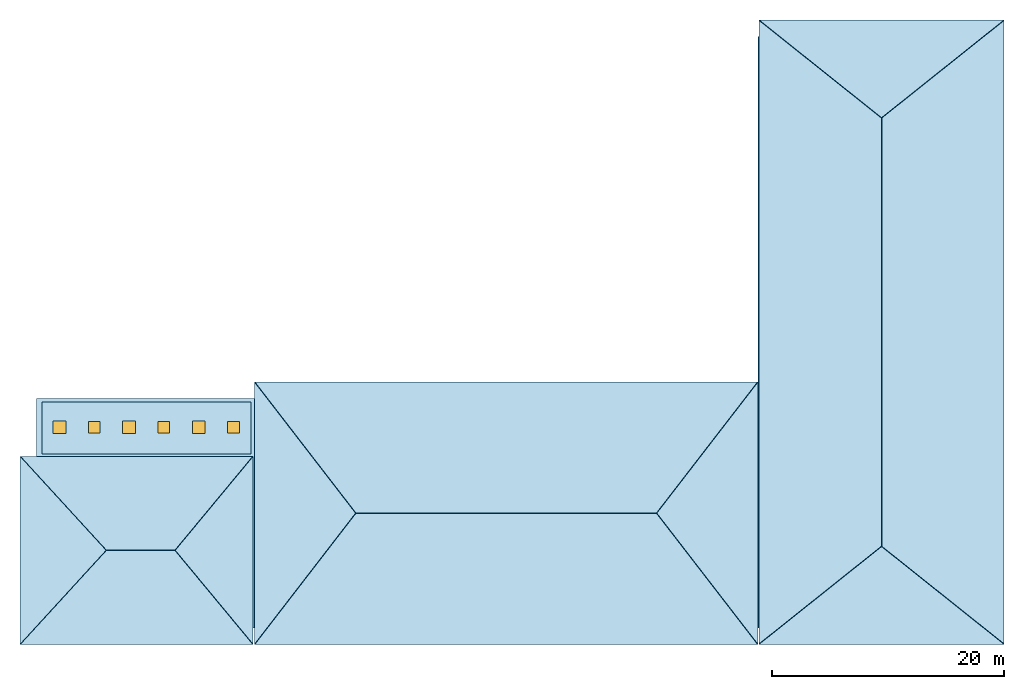
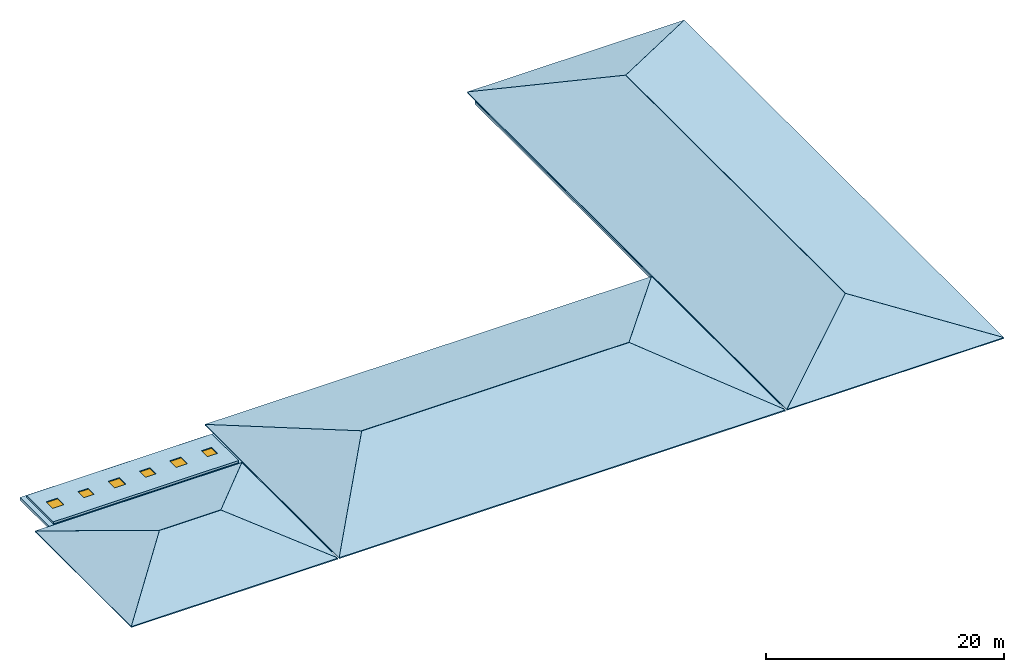
"""IFC4 building model written with IfcOpenShell, lengths in metres."""

from ifc_helpers import new_model, si_unit, direction, frame, origin, origin_2d, place, context, subcontext, project, spatial, polyline, rectangle, outline, extrude, material, layer, layer_set, type_object, element, fill, save


model = new_model("IFC4")

# Units and contexts
model_context = context("Model", 3, precision=1e-05, world=origin(), true_north=direction((0.0, 1.0)))
body_context = subcontext(model_context, "Body", "Model", "MODEL_VIEW")
ifc_project = project(units=[si_unit("LENGTHUNIT", "METRE"), si_unit("AREAUNIT", "SQUARE_METRE"), si_unit("VOLUMEUNIT", "CUBIC_METRE"), si_unit("PLANEANGLEUNIT", "RADIAN"), si_unit("MASSUNIT", "GRAM", prefix="KILO")], contexts=[model_context])

# Site, building, storey
site_placement = place(None, origin())
site = spatial("IfcSite", under=ifc_project, at=site_placement, CompositionType="ELEMENT")
building_placement = place(site_placement, origin())
building = spatial("IfcBuilding", under=site, at=building_placement, Name="Sollismere Congress Hotel", CompositionType="ELEMENT")
storey_1_placement = place(building_placement, frame((0.0, 0.0, 48.199951171875)))
storey_1 = spatial("IfcBuildingStorey", under=building, at=storey_1_placement, Name="RF", CompositionType="ELEMENT", Elevation=48.199951171875)

# Slab, openings
ifc_material_1 = material(Name="Concrete C40/50", Category="concrete")
ifc_layer_1 = layer(ifc_material_1, 0.219970703125, Name="Concrete C40/50")
ifc_layer_set_1 = layer_set([ifc_layer_1], Name="Concrete C40/50")
slab_type_1 = type_object("IfcSlabType", Name="SL-ROOF220", PredefinedType="ROOF", material=ifc_layer_set_1)
slab_1_placement = place(storey_1_placement, origin())
slab_1 = element("IfcSlab", 1, at=slab_1_placement, inside=storey_1, type_object=slab_type_1, Name="Slab SL-RF-CRB", PredefinedType="ROOF", context=body_context, shape_type="SweptSolid", body=[
    extrude(outline(polyline([(103.0, 14.5), (103.0, 19.0), (85.0, 19.0), (85.0, 14.5), (103.0, 14.5)]), holes=[polyline([(85.949951171875, 17.35009765625), (87.050048828125, 17.35009765625), (87.050048828125, 16.25), (85.949951171875, 16.25), (85.949951171875, 17.35009765625)]), polyline([(90.0, 17.300048828125), (90.0, 16.300048828125), (89.0, 16.300048828125), (89.0, 17.300048828125), (90.0, 17.300048828125)]), polyline([(93.050048828125, 17.35009765625), (93.050048828125, 16.25), (91.949951171875, 16.25), (91.949951171875, 17.35009765625), (93.050048828125, 17.35009765625)]), polyline([(95.0, 17.300048828125), (96.0, 17.300048828125), (96.0, 16.300048828125), (95.0, 16.300048828125), (95.0, 17.300048828125)]), polyline([(99.050048828125, 17.35009765625), (99.050048828125, 16.25), (97.949951171875, 16.25), (97.949951171875, 17.35009765625), (99.050048828125, 17.35009765625)]), polyline([(102.0, 17.300048828125), (102.0, 16.300048828125), (101.0, 16.300048828125), (101.0, 17.300048828125), (102.0, 17.300048828125)])]), origin(), (0.0, 0.0, 1.0), 0.219970703125),
])
opening_1_placement = place(slab_1_placement, frame((86.5, 16.800048828125, -0.010009765625)))
opening_1 = element("IfcOpeningElement", 2, at=opening_1_placement, cuts=slab_1, Name="Opening HT-RF01", PredefinedType="OPENING", context=body_context, shape_type="SweptSolid", body=[
    extrude(rectangle(XDim=1.10009765625, YDim=1.10009765625, at=origin_2d()), origin(), (0.0, 0.0, 1.0), 0.239990234375),
])
opening_2_placement = place(slab_1_placement, frame((89.5, 16.800048828125, -0.010009765625)))
opening_2 = element("IfcOpeningElement", 3, at=opening_2_placement, cuts=slab_1, Name="Opening HT-RF02", PredefinedType="OPENING", context=body_context, shape_type="SweptSolid", body=[
    extrude(rectangle(XDim=1.0, YDim=1.0, at=origin_2d()), origin(), (0.0, 0.0, 1.0), 0.239990234375),
])
opening_3_placement = place(slab_1_placement, frame((92.5, 16.800048828125, -0.010009765625)))
opening_3 = element("IfcOpeningElement", 4, at=opening_3_placement, cuts=slab_1, Name="Opening HT-RF03", PredefinedType="OPENING", context=body_context, shape_type="SweptSolid", body=[
    extrude(rectangle(XDim=1.10009765625, YDim=1.10009765625, at=origin_2d()), origin(), (0.0, 0.0, 1.0), 0.239990234375),
])
opening_4_placement = place(slab_1_placement, frame((95.5, 16.800048828125, -0.010009765625)))
opening_4 = element("IfcOpeningElement", 5, at=opening_4_placement, cuts=slab_1, Name="Opening HT-RF04", PredefinedType="OPENING", context=body_context, shape_type="SweptSolid", body=[
    extrude(rectangle(XDim=1.0, YDim=1.0, at=origin_2d()), origin(), (0.0, 0.0, 1.0), 0.239990234375),
])
opening_5_placement = place(slab_1_placement, frame((98.5, 16.800048828125, -0.010009765625)))
opening_5 = element("IfcOpeningElement", 6, at=opening_5_placement, cuts=slab_1, Name="Opening HT-RF05", PredefinedType="OPENING", context=body_context, shape_type="SweptSolid", body=[
    extrude(rectangle(XDim=1.10009765625, YDim=1.10009765625, at=origin_2d()), origin(), (0.0, 0.0, 1.0), 0.239990234375),
])
opening_6_placement = place(slab_1_placement, frame((101.5, 16.800048828125, -0.010009765625)))
opening_6 = element("IfcOpeningElement", 7, at=opening_6_placement, cuts=slab_1, Name="Opening HT-RF06", PredefinedType="OPENING", context=body_context, shape_type="SweptSolid", body=[
    extrude(rectangle(XDim=1.0, YDim=1.0, at=origin_2d()), origin(), (0.0, 0.0, 1.0), 0.239990234375),
])

# Storey
storey_2_placement = place(building_placement, frame((0.0, 0.0, 44.60009765625)))
storey_2 = spatial("IfcBuildingStorey", under=building, at=storey_2_placement, Name="L11", CompositionType="ELEMENT", Elevation=44.60009765625)

# Door
ifc_material_2 = material(Name="Thermally Broken Bronze-Anodized Aluminum & Laminated Glass", Category="aluminium")
door_type_1 = type_object("IfcDoorType", Name="HT-RF100", OperationType="SINGLE_SWING_LEFT", PredefinedType="TRAPDOOR", material=ifc_material_2)
door_1_placement = place(opening_2_placement, frame((0.0, 0.0, 0.094970703125)))
door_1 = element("IfcDoor", 8, at=door_1_placement, inside=storey_2, type_object=door_type_1, Name="HTC-RF-02", OperationType="SINGLE_SWING_LEFT", OverallHeight=1.0, OverallWidth=1.0, PredefinedType="TRAPDOOR", context=body_context, shape_type="SweptSolid", body=[
    extrude(rectangle(XDim=1.0, YDim=1.0, at=origin_2d()), origin(), (0.0, 0.0, 1.0), 0.050048828125),
])

fill(opening_2, door_1)

door_2_placement = place(opening_4_placement, frame((0.0, 0.0, 0.094970703125)))
door_2 = element("IfcDoor", 9, at=door_2_placement, inside=storey_2, type_object=door_type_1, Name="HTC-RF-04", OperationType="SINGLE_SWING_LEFT", OverallHeight=1.0, OverallWidth=1.0, PredefinedType="TRAPDOOR", context=body_context, shape_type="SweptSolid", body=[
    extrude(rectangle(XDim=1.0, YDim=1.0, at=origin_2d()), origin(), (0.0, 0.0, 1.0), 0.050048828125),
])

fill(opening_4, door_2)

door_3_placement = place(opening_6_placement, frame((0.0, 0.0, 0.094970703125)))
door_3 = element("IfcDoor", 10, at=door_3_placement, inside=storey_2, type_object=door_type_1, Name="HTC-RF-06", OperationType="SINGLE_SWING_LEFT", OverallHeight=1.0, OverallWidth=1.0, PredefinedType="TRAPDOOR", context=body_context, shape_type="SweptSolid", body=[
    extrude(rectangle(XDim=1.0, YDim=1.0, at=origin_2d()), origin(), (0.0, 0.0, 1.0), 0.050048828125),
])

fill(opening_6, door_3)

door_type_2 = type_object("IfcDoorType", Name="HT-RF110", OperationType="SINGLE_SWING_LEFT", PredefinedType="TRAPDOOR", material=ifc_material_2)
door_4_placement = place(opening_1_placement, frame((0.0, 0.0, 0.094970703125)))
door_4 = element("IfcDoor", 11, at=door_4_placement, inside=storey_2, type_object=door_type_2, Name="HTC-RF-01", OperationType="SINGLE_SWING_LEFT", OverallHeight=1.10009765625, OverallWidth=1.10009765625, PredefinedType="TRAPDOOR", context=body_context, shape_type="SweptSolid", body=[
    extrude(rectangle(XDim=1.10009765625, YDim=1.10009765625, at=origin_2d()), origin(), (0.0, 0.0, 1.0), 0.050048828125),
])

fill(opening_1, door_4)

door_5_placement = place(opening_3_placement, frame((0.0, 0.0, 0.094970703125)))
door_5 = element("IfcDoor", 12, at=door_5_placement, inside=storey_2, type_object=door_type_2, Name="HTC-RF-03", OperationType="SINGLE_SWING_LEFT", OverallHeight=1.10009765625, OverallWidth=1.10009765625, PredefinedType="TRAPDOOR", context=body_context, shape_type="SweptSolid", body=[
    extrude(rectangle(XDim=1.10009765625, YDim=1.10009765625, at=origin_2d()), origin(), (0.0, 0.0, 1.0), 0.050048828125),
])

fill(opening_3, door_5)

door_6_placement = place(opening_5_placement, frame((0.0, 0.0, 0.094970703125)))
door_6 = element("IfcDoor", 13, at=door_6_placement, inside=storey_2, type_object=door_type_2, Name="HTC-RF-05", OperationType="SINGLE_SWING_LEFT", OverallHeight=1.10009765625, OverallWidth=1.10009765625, PredefinedType="TRAPDOOR", context=body_context, shape_type="SweptSolid", body=[
    extrude(rectangle(XDim=1.10009765625, YDim=1.10009765625, at=origin_2d()), origin(), (0.0, 0.0, 1.0), 0.050048828125),
])

fill(opening_5, door_6)

# Slabs
ifc_layer_2 = layer(ifc_material_1, 0.27490234375, Name="Concrete C40/50")
ifc_layer_set_2 = layer_set([ifc_layer_2], Name="Concrete C40/50")
slab_type_2 = type_object("IfcSlabType", Name="SL-ROOF275", PredefinedType="ROOF", material=ifc_layer_set_2)
slab_2_placement = place(storey_1_placement, frame((0.0, 0.0, -0.27490234375)))
element("IfcSlab", 14, at=slab_2_placement, inside=storey_1, type_object=slab_type_2, Name="Slab SL-RF-MAIN", PredefinedType="ROOF", context=body_context, shape_type="SweptSolid", body=[
    extrude(outline(polyline([(166.47998046875, -0.47998046875), (166.47998046875, 19.280029296875), (166.47998046875, 50.47998046875), (146.719970703125, 50.47998046875), (146.719970703125, 19.280029296875), (84.52001953125, 19.280029296875), (84.52001953125, -0.47998046875), (166.47998046875, -0.47998046875)]), holes=[polyline([(85.949951171875, 17.35009765625), (87.050048828125, 17.35009765625), (87.050048828125, 16.25), (85.949951171875, 16.25), (85.949951171875, 17.35009765625)]), polyline([(90.0, 17.300048828125), (90.0, 16.300048828125), (89.0, 16.300048828125), (89.0, 17.300048828125), (90.0, 17.300048828125)]), polyline([(93.050048828125, 17.35009765625), (93.050048828125, 16.25), (91.949951171875, 16.25), (91.949951171875, 17.35009765625), (93.050048828125, 17.35009765625)]), polyline([(95.0, 17.300048828125), (96.0, 17.300048828125), (96.0, 16.300048828125), (95.0, 16.300048828125), (95.0, 17.300048828125)]), polyline([(99.050048828125, 17.35009765625), (99.050048828125, 16.25), (97.949951171875, 16.25), (97.949951171875, 17.35009765625), (99.050048828125, 17.35009765625)]), polyline([(102.0, 17.300048828125), (102.0, 16.300048828125), (101.0, 16.300048828125), (101.0, 17.300048828125), (102.0, 17.300048828125)])]), origin(), (0.0, 0.0, 1.0), 0.27490234375),
])
ifc_material_3 = material(Name="Standing-Seam Zinc on Precast Concrete C40/50", Category="concrete")
ifc_layer_3 = layer(ifc_material_3, 0.14990234375, Name="Standing-Seam Zinc on Precast Concrete C40/50")
ifc_layer_set_3 = layer_set([ifc_layer_3], Name="Standing-Seam Zinc on Precast Concrete C40/50")
slab_type_3 = type_object("IfcSlabType", Name="SL-SACAK150", PredefinedType="ROOF", material=ifc_layer_set_3)
slab_3_placement = place(storey_1_placement, frame((83.14599609375, -1.89794921875, -0.07275390625), z_axis=(-0.306165744534, 0.0, 0.951978222899), x_axis=(0.660005854112, 0.72064974404, 0.212264502339)))
element("IfcSlab", 15, at=slab_3_placement, inside=storey_1, type_object=slab_type_3, Name="Hipped roof facet SL-V5W-W", PredefinedType="ROOF", context=body_context, shape_type="SweptSolid", body=[
    extrude(outline(polyline([(0.0, 0.0), (11.2119140625, 0.0), (11.23779296875, 0.025146484375), (11.671630859375, 11.228759765625), (0.0, 0.0)])), origin(), (0.0, 0.0, 1.0), 0.14990234375),
])
slab_4_placement = place(storey_1_placement, frame((96.44970703125, 6.181884765625, 2.30859375), z_axis=(0.334719719377, 0.0, 0.942317732753), x_axis=(0.622512626614, -0.750721691425, -0.221122074271)))
element("IfcSlab", 16, at=slab_4_placement, inside=storey_1, type_object=slab_type_3, Name="Hipped roof facet SL-V5W-E", PredefinedType="ROOF", context=body_context, shape_type="SweptSolid", body=[
    extrude(outline(polyline([(0.0, 0.0), (10.7626953125, 0.0), (-1.39599609375, 10.699462890625), (-0.027099609375, 0.02392578125), (0.0, 0.0)])), origin(), (0.0, 0.0, 1.0), 0.14990234375),
])
slab_5_placement = place(storey_1_placement, frame((83.10205078125, -1.857666015625, -0.07373046875), z_axis=(0.0, -0.282544489974, 0.959254195292), x_axis=(1.0, 0.0, 0.0)))
element("IfcSlab", 17, at=slab_5_placement, inside=storey_1, type_object=slab_type_3, Name="Hipped roof facet SL-V5W-S", PredefinedType="ROOF", context=body_context, shape_type="SweptSolid", body=[
    extrude(outline(polyline([(0.0, 0.0), (20.095947265625, 0.0), (13.39599609375, 8.423095703125), (7.39990234375, 8.423095703125), (0.0, 0.0)])), origin(), (0.0, 0.0, 1.0), 0.14990234375),
])
slab_6_placement = place(storey_1_placement, frame((90.501953125, 6.177734375, 2.30615234375), z_axis=(0.0, 0.282536634357, 0.959256509098), x_axis=(1.0, 0.0, 0.0)))
element("IfcSlab", 18, at=slab_6_placement, inside=storey_1, type_object=slab_type_3, Name="Hipped roof facet SL-V5W-N", PredefinedType="ROOF", context=body_context, shape_type="SweptSolid", body=[
    extrude(outline(polyline([(0.0, 0.0), (5.99609375, 0.0), (12.696044921875, 8.42333984375), (-7.39990234375, 8.42333984375), (0.0, 0.0)])), origin(), (0.0, 0.0, 1.0), 0.14990234375),
])
slab_7_placement = place(storey_1_placement, frame((103.350830078125, -1.89794921875, -0.071044921875), z_axis=(-0.338518427216, 0.0, 0.940959762389), x_axis=(0.596496890669, 0.773395421344, 0.214594924607)))
element("IfcSlab", 19, at=slab_7_placement, inside=storey_1, type_object=slab_type_3, Name="Hipped roof facet SL-V5S-W", PredefinedType="ROOF", context=body_context, shape_type="SweptSolid", body=[
    extrude(outline(polyline([(0.0, 0.0), (14.5849609375, 0.0), (14.61279296875, 0.022705078125), (17.4755859375, 14.32421875), (0.0, 0.0)])), origin(), (0.0, 0.0, 1.0), 0.14990234375),
])
slab_8_placement = place(storey_1_placement, frame((137.94921875, 9.382080078125, 3.058837890625), z_axis=(0.338518427216, 0.0, 0.940959762389), x_axis=(0.596496890669, -0.773395421344, -0.214594924607)))
element("IfcSlab", 20, at=slab_8_placement, inside=storey_1, type_object=slab_type_3, Name="Hipped roof facet SL-V5S-E", PredefinedType="ROOF", context=body_context, shape_type="SweptSolid", body=[
    extrude(outline(polyline([(0.0, 0.0), (14.5849609375, 0.0), (-2.890625, 14.32421875), (-0.02783203125, 0.022705078125), (0.0, 0.0)])), origin(), (0.0, 0.0, 1.0), 0.14990234375),
])
slab_9_placement = place(storey_1_placement, frame((103.302001953125, -1.85986328125, -0.074462890625), z_axis=(0.0, -0.267374935435, 0.963592571527), x_axis=(1.0, 0.0, 0.0)))
element("IfcSlab", 21, at=slab_9_placement, inside=storey_1, type_object=slab_type_3, Name="Hipped roof facet SL-V5S-S", PredefinedType="ROOF", context=body_context, shape_type="SweptSolid", body=[
    extrude(outline(polyline([(0.0, 0.0), (43.39599609375, 0.0), (34.696044921875, 11.7060546875), (8.699951171875, 11.7060546875), (0.0, 0.0)])), origin(), (0.0, 0.0, 1.0), 0.14990234375),
])
slab_10_placement = place(storey_1_placement, frame((112.001953125, 9.3798828125, 3.055419921875), z_axis=(0.0, 0.267369562168, 0.963594062469), x_axis=(1.0, 0.0, 0.0)))
element("IfcSlab", 22, at=slab_10_placement, inside=storey_1, type_object=slab_type_3, Name="Hipped roof facet SL-V5S-N", PredefinedType="ROOF", context=body_context, shape_type="SweptSolid", body=[
    extrude(outline(polyline([(0.0, 0.0), (25.99609375, 0.0), (34.696044921875, 11.706298828125), (-8.699951171875, 11.706298828125), (0.0, 0.0)])), origin(), (0.0, 0.0, 1.0), 0.14990234375),
])
slab_11_placement = place(storey_1_placement, frame((146.8427734375, -1.89794921875, -0.07373046875), z_axis=(-0.284914528059, 0.0, 0.958552925874), x_axis=(0.761455810991, 0.607420385175, 0.226330562633)))
element("IfcSlab", 23, at=slab_11_placement, inside=storey_1, type_object=slab_type_3, Name="Hipped roof facet SL-V5E-W", PredefinedType="ROOF", context=body_context, shape_type="SweptSolid", body=[
    extrude(outline(polyline([(0.0, 0.0), (13.828857421875, 0.0), (36.301025390625, 29.388916015625), (32.6767578125, 42.734375), (0.0, 0.0)])), origin(), (0.0, 0.0, 1.0), 0.14990234375),
])
slab_12_placement = place(storey_1_placement, frame((157.327392578125, 6.501953125, 3.05615234375), z_axis=(0.284920597743, 0.0, 0.958551121736), x_axis=(0.761448392689, -0.607428550866, -0.226333605246)))
element("IfcSlab", 24, at=slab_12_placement, inside=storey_1, type_object=slab_type_3, Name="Hipped roof facet SL-V5E-E", PredefinedType="ROOF", context=body_context, shape_type="SweptSolid", body=[
    extrude(outline(polyline([(0.0, 0.0), (13.82861328125, 0.0), (-18.8486328125, 42.734130859375), (-22.472412109375, 29.388671875), (0.0, 0.0)])), origin(), (0.0, 0.0, 1.0), 0.14990234375),
])
slab_13_placement = place(storey_1_placement, frame((146.802001953125, -1.84765625, -0.0703125), z_axis=(0.0, -0.349158730634, 0.937063594866), x_axis=(1.0, 0.0, 0.0)))
element("IfcSlab", 25, at=slab_13_placement, inside=storey_1, type_object=slab_type_3, Name="Hipped roof facet SL-V5E-S", PredefinedType="ROOF", context=body_context, shape_type="SweptSolid", body=[
    extrude(outline(polyline([(0.0, 0.0), (21.095947265625, 0.0), (10.56591796875, 8.964111328125), (10.530029296875, 8.964111328125), (0.0, 0.0)])), origin(), (0.0, 0.0, 1.0), 0.14990234375),
])
slab_14_placement = place(storey_1_placement, frame((157.33203125, 43.44775390625, 3.0595703125), z_axis=(0.0, 0.349158730634, 0.937063594866), x_axis=(1.0, 0.0, 0.0)))
element("IfcSlab", 26, at=slab_14_placement, inside=storey_1, type_object=slab_type_3, Name="Hipped roof facet SL-V5E-N", PredefinedType="ROOF", context=body_context, shape_type="SweptSolid", body=[
    extrude(outline(polyline([(0.0, 0.0), (0.035888671875, 0.0), (10.56591796875, 8.964111328125), (-10.530029296875, 8.964111328125), (0.0, 0.0)])), origin(), (0.0, 0.0, 1.0), 0.14990234375),
])

save(model, "model.ifc")
